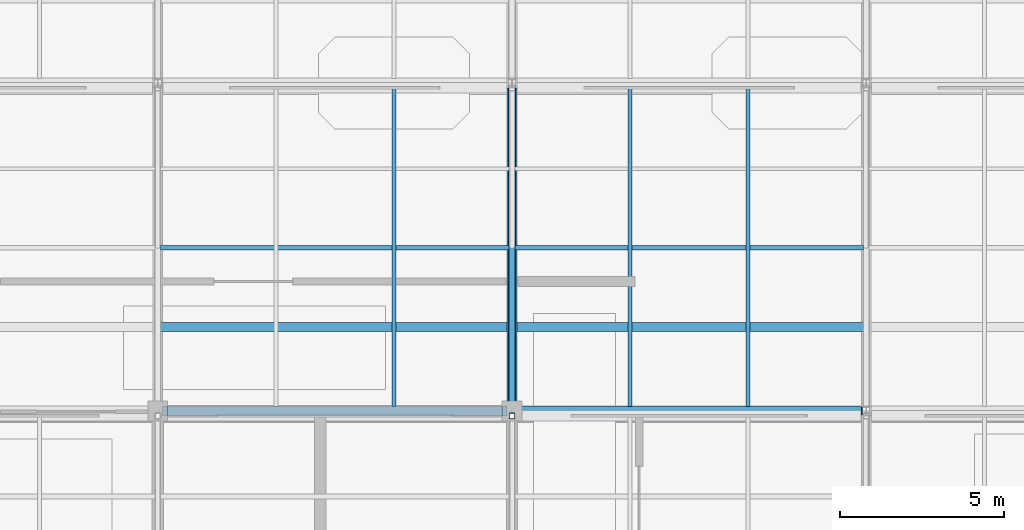
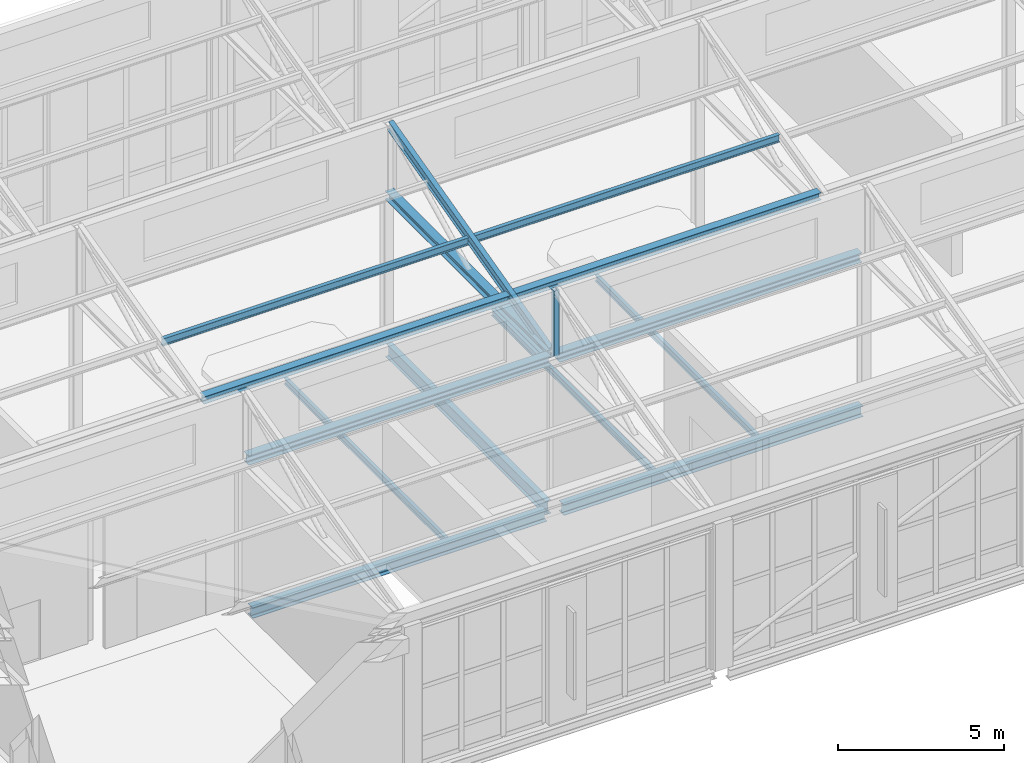
# One storey, part 9 of 49: 8 beams, 7 members.
"""IFC4 building model written with IfcOpenShell, lengths in metres."""

from ifc_helpers import new_model, si_unit, direction, frame, origin, origin_2d, place, context, subcontext, project, spatial, hollow_rectangle, i_section, extrude, material, material_profile, profile_set, type_object, element, save


model = new_model("IFC4")

# Units and contexts
model_context = context("Model", 3, precision=1e-05, world=origin(), true_north=direction((0.0, 1.0)))
body_context = subcontext(model_context, "Body", "Model", "MODEL_VIEW")
ifc_project = project(units=[si_unit("LENGTHUNIT", "METRE"), si_unit("AREAUNIT", "SQUARE_METRE"), si_unit("VOLUMEUNIT", "CUBIC_METRE"), si_unit("PLANEANGLEUNIT", "RADIAN"), si_unit("MASSUNIT", "GRAM", prefix="KILO")], contexts=[model_context])

# Site, building, storey
site_placement = place(None, origin())
site = spatial("IfcSite", under=ifc_project, at=site_placement, CompositionType="ELEMENT")
building_placement = place(site_placement, origin())
building = spatial("IfcBuilding", under=site, at=building_placement, Name="Tasgan Crest Museum", CompositionType="ELEMENT")
storey_placement = place(building_placement, frame((0.0, 0.0, 28.800048828125)))
storey = spatial("IfcBuildingStorey", under=building, at=storey_placement, Name="L05", CompositionType="ELEMENT", Elevation=28.800048828125)

# Beams
ifc_material_1 = material(Name="Steel S355J2", Category="steel")
ifc_material_profile_1 = material_profile(ifc_material_1, i_section(OverallWidth=0.300048828125, OverallDepth=0.35009765625, WebThickness=0.009521484375, FlangeThickness=0.017578125, FilletRadius=0.027099609375, at=origin_2d()), Name="HEA 360")
ifc_profile_set_1 = profile_set([ifc_material_profile_1], Name="Steel S355J2")
beam_type_1 = type_object("IfcBeamType", Name="BM-G-HEA360", PredefinedType="BEAM", material=ifc_profile_set_1)
for number, where, z_axis, x_axis, name in (
    (1, (10.949951171875, 92.0, 5.219970703125), (1.0, 0.0, 0.0), (0.0, 1.0, 0.0), "Sawtooth valley girder B2 10.8-21.6"),
    (2, (21.75, 92.0, 5.219970703125), (1.0, 0.0, 0.0), (0.0, 1.0, 0.0), "Sawtooth valley girder B2 21.6-32.4"),
):
    element("IfcBeam", number, at=place(storey_placement, frame(where, z_axis=z_axis, x_axis=x_axis)), inside=storey, type_object=beam_type_1, Name=name, PredefinedType="BEAM", context=body_context, shape_type="SweptSolid", body=[
        extrude(i_section(OverallWidth=0.300048828125, OverallDepth=0.35009765625, WebThickness=0.009521484375, FlangeThickness=0.017578125, FilletRadius=0.027099609375, at=origin_2d()), origin(), (0.0, 0.0, 1.0), 10.5),
    ])
ifc_material_2 = material(Name="Steel S355J2", Category="steel")
ifc_material_profile_2 = material_profile(ifc_material_2, i_section(OverallWidth=0.300048828125, OverallDepth=0.389892578125, WebThickness=0.010986328125, FlangeThickness=0.01904296875, FilletRadius=0.027099609375, at=origin_2d()), Name="HEA 400")
ifc_profile_set_2 = profile_set([ifc_material_profile_2], Name="Steel S355J2")
beam_type_2 = type_object("IfcBeamType", Name="BM-G-HEA400", PredefinedType="BEAM", material=ifc_profile_set_2)
beam_1_placement = place(storey_placement, frame((11.095947265625, 92.0, -0.43505859375), z_axis=(1.0, 0.0, 0.0), x_axis=(0.0, 1.0, 0.0)))
element("IfcBeam", 3, at=beam_1_placement, inside=storey, type_object=beam_type_2, Name="Girder L05 K 10.8-21.6", PredefinedType="BEAM", context=body_context, shape_type="SweptSolid", body=[
    extrude(i_section(OverallWidth=0.300048828125, OverallDepth=0.389892578125, WebThickness=0.010986328125, FlangeThickness=0.01904296875, FilletRadius=0.027099609375, at=origin_2d()), origin(), (0.0, 0.0, 1.0), 10.2080078125),
])
beam_2_placement = place(storey_placement, frame((21.89599609375, 92.0, -0.43505859375), z_axis=(1.0, 0.0, 0.0), x_axis=(0.0, 1.0, 0.0)))
element("IfcBeam", 4, at=beam_2_placement, inside=storey, type_object=beam_type_2, Name="Girder L05 K 21.6-32.4", PredefinedType="BEAM", context=body_context, shape_type="SweptSolid", body=[
    extrude(i_section(OverallWidth=0.300048828125, OverallDepth=0.389892578125, WebThickness=0.010986328125, FlangeThickness=0.01904296875, FilletRadius=0.027099609375, at=origin_2d()), origin(), (0.0, 0.0, 1.0), 10.39794921875),
])
ifc_material_3 = material(Name="Steel S355J2", Category="steel")
ifc_material_profile_3 = material_profile(ifc_material_3, i_section(OverallWidth=0.199951171875, OverallDepth=0.5, WebThickness=0.01025390625, FlangeThickness=0.01611328125, FilletRadius=0.02099609375, at=origin_2d()), Name="IPE 500")
ifc_profile_set_3 = profile_set([ifc_material_profile_3], Name="Steel S355J2")
beam_type_3 = type_object("IfcBeamType", Name="BM-G-IPE500", PredefinedType="BEAM", material=ifc_profile_set_3)
beam_3_placement = place(storey_placement, frame((21.60009765625, 92.294921875, -0.489990234375), z_axis=(0.0, 1.0, 0.0), x_axis=(-1.0, 0.0, 0.0)))
element("IfcBeam", 5, at=beam_3_placement, inside=storey, type_object=beam_type_3, Name="Beam L05 3 92.0-102.0", PredefinedType="BEAM", context=body_context, shape_type="SweptSolid", body=[
    extrude(i_section(OverallWidth=0.199951171875, OverallDepth=0.5, WebThickness=0.01025390625, FlangeThickness=0.01611328125, FilletRadius=0.02099609375, at=origin_2d()), origin(), (0.0, 0.0, 1.0), 9.60009765625),
])
ifc_material_4 = material(Name="Steel S355J2", Category="steel")
ifc_material_profile_4 = material_profile(ifc_material_4, i_section(OverallWidth=0.1201171875, OverallDepth=0.239990234375, WebThickness=0.006103515625, FlangeThickness=0.009765625, FilletRadius=0.014892578125, at=origin_2d()), Name="IPE 240")
ifc_profile_set_4 = profile_set([ifc_material_profile_4], Name="Steel S355J2")
beam_type_4 = type_object("IfcBeamType", Name="BM-J-IPE240", PredefinedType="JOIST", material=ifc_profile_set_4)
for number, where, z_axis, x_axis, name in (
    (6, (18.0, 92.14501953125, -0.360107421875), (0.0, 1.0, 0.0), (-1.0, 0.0, 0.0), "Secondary joist L05 X=18.0 Y=92.0-102.0"),
    (7, (25.199951171875, 92.14501953125, -0.360107421875), (0.0, 1.0, 0.0), (-1.0, 0.0, 0.0), "Secondary joist L05 X=25.2 Y=92.0-102.0"),
    (8, (28.800048828125, 92.14501953125, -0.360107421875), (0.0, 1.0, 0.0), (-1.0, 0.0, 0.0), "Secondary joist L05 X=28.8 Y=92.0-102.0"),
):
    element("IfcBeam", number, at=place(storey_placement, frame(where, z_axis=z_axis, x_axis=x_axis)), inside=storey, type_object=beam_type_4, Name=name, PredefinedType="JOIST", context=body_context, shape_type="SweptSolid", body=[
        extrude(i_section(OverallWidth=0.1201171875, OverallDepth=0.239990234375, WebThickness=0.006103515625, FlangeThickness=0.009765625, FilletRadius=0.014892578125, at=origin_2d()), origin(), (0.0, 0.0, 1.0), 9.7099609375),
    ])

# Members
ifc_material_5 = material(Name="Steel S355J2", Category="steel")
ifc_material_profile_5 = material_profile(ifc_material_5, i_section(OverallWidth=0.280029296875, OverallDepth=0.27001953125, WebThickness=0.008056640625, FlangeThickness=0.012939453125, FilletRadius=0.02392578125, at=origin_2d()), Name="HEA 280")
ifc_profile_set_5 = profile_set([ifc_material_profile_5], Name="Steel S355J2")
member_type_1 = type_object("IfcMemberType", Name="MEM-PUR-HEA280", PredefinedType="PURLIN", material=ifc_profile_set_5)
for number, where, z_axis, x_axis, name in (
    (9, (10.885009765625, 94.5625, 5.889892578125), (1.0, 0.0, 0.0), (0.0, 1.0, 0.0), "Sawtooth roof purlin B2 10.8-21.6 P1"),
    (10, (21.68505859375, 94.5625, 5.889892578125), (1.0, 0.0, 0.0), (0.0, 1.0, 0.0), "Sawtooth roof purlin B2 21.6-32.4 P1"),
):
    element("IfcMember", number, at=place(storey_placement, frame(where, z_axis=z_axis, x_axis=x_axis)), inside=storey, type_object=member_type_1, Name=name, PredefinedType="PURLIN", context=body_context, shape_type="SweptSolid", body=[
        extrude(i_section(OverallWidth=0.280029296875, OverallDepth=0.27001953125, WebThickness=0.008056640625, FlangeThickness=0.012939453125, FilletRadius=0.02392578125, at=origin_2d()), origin(), (0.0, 0.0, 1.0), 10.6298828125),
    ])
ifc_material_6 = material(Name="Steel S355J2", Category="steel")
ifc_material_profile_6 = material_profile(ifc_material_6, i_section(OverallWidth=0.135009765625, OverallDepth=0.27001953125, WebThickness=0.006591796875, FlangeThickness=0.01025390625, FilletRadius=0.014892578125, at=origin_2d()), Name="IPE 270")
ifc_profile_set_6 = profile_set([ifc_material_profile_6], Name="Steel S355J2")
member_type_2 = type_object("IfcMemberType", Name="MEM-PURLIN-270", PredefinedType="PURLIN", material=ifc_profile_set_6)
for number, where, z_axis, x_axis, name in (
    (11, (10.885009765625, 96.97509765625, 6.510009765625), (1.0, 0.0, 0.0), (0.0, 1.0, 0.0), "Sawtooth roof purlin B2 10.8-21.6 P2"),
    (12, (21.68505859375, 96.97509765625, 6.510009765625), (1.0, 0.0, 0.0), (0.0, 1.0, 0.0), "Sawtooth roof purlin B2 21.6-32.4 P2"),
):
    element("IfcMember", number, at=place(storey_placement, frame(where, z_axis=z_axis, x_axis=x_axis)), inside=storey, type_object=member_type_2, Name=name, PredefinedType="PURLIN", context=body_context, shape_type="SweptSolid", body=[
        extrude(i_section(OverallWidth=0.135009765625, OverallDepth=0.27001953125, WebThickness=0.006591796875, FlangeThickness=0.01025390625, FilletRadius=0.014892578125, at=origin_2d()), origin(), (0.0, 0.0, 1.0), 10.6298828125),
    ])
ifc_material_7 = material(Name="Steel S355K2", Category="steel")
ifc_material_profile_7 = material_profile(ifc_material_7, i_section(OverallWidth=0.300048828125, OverallDepth=0.31005859375, WebThickness=0.009033203125, FlangeThickness=0.015380859375, FilletRadius=0.027099609375, at=origin_2d()), Name="HEA 320")
ifc_profile_set_7 = profile_set([ifc_material_profile_7], Name="Steel S355K2")
member_type_3 = type_object("IfcMemberType", Name="TR-SAW-CHORD", PredefinedType="CHORD", material=ifc_profile_set_7)
member_1_placement = place(storey_placement, frame((21.60009765625, 92.14990234375, 5.239990234375), z_axis=(0.0, 1.0, 0.0), x_axis=(-1.0, 0.0, 0.0)))
element("IfcMember", 13, at=member_1_placement, inside=storey, type_object=member_type_3, Name="Roof truss bottom chord B2 3", PredefinedType="CHORD", context=body_context, shape_type="SweptSolid", body=[
    extrude(i_section(OverallWidth=0.300048828125, OverallDepth=0.31005859375, WebThickness=0.009033203125, FlangeThickness=0.015380859375, FilletRadius=0.027099609375, at=origin_2d()), origin(), (0.0, 0.0, 1.0), 9.7001953125),
])
ifc_material_8 = material(Name="Steel S355K2", Category="steel")
ifc_material_profile_8 = material_profile(ifc_material_8, hollow_rectangle(XDim=0.179931640625, YDim=0.179931640625, WallThickness=0.010009765625, InnerFilletRadius=0.010009765625, OuterFilletRadius=0.02001953125, at=origin_2d()), Name="SHS 180x180x10")
ifc_profile_set_8 = profile_set([ifc_material_profile_8], Name="Steel S355K2")
member_type_4 = type_object("IfcMemberType", Name="TR-SAW-POST", PredefinedType="POST", material=ifc_profile_set_8)
member_2_placement = place(storey_placement, frame((21.60009765625, 91.85009765625, 5.389892578125), z_axis=(0.0, 0.0, 1.0), x_axis=(1.0, 0.0, 0.0)))
element("IfcMember", 14, at=member_2_placement, inside=storey, type_object=member_type_4, Name="Roof truss north post B1 3", PredefinedType="POST", context=body_context, shape_type="SweptSolid", body=[
    extrude(hollow_rectangle(XDim=0.179931640625, YDim=0.179931640625, WallThickness=0.010009765625, InnerFilletRadius=0.010009765625, OuterFilletRadius=0.02001953125, at=origin_2d()), origin(), (0.0, 0.0, 1.0), 2.41015625),
])
ifc_material_9 = material(Name="Steel S355K2", Category="steel")
ifc_material_profile_9 = material_profile(ifc_material_9, i_section(OverallWidth=0.169921875, OverallDepth=0.360107421875, WebThickness=0.008056640625, FlangeThickness=0.0126953125, FilletRadius=0.01806640625, at=origin_2d()), Name="IPE 360")
ifc_profile_set_9 = profile_set([ifc_material_profile_9], Name="Steel S355K2")
member_type_5 = type_object("IfcMemberType", Name="TR-SAW-RAFTER", PredefinedType="RAFTER", material=ifc_profile_set_9)
member_3_placement = place(storey_placement, frame((21.60009765625, 92.14990234375, 5.320068359375), z_axis=(0.0, 0.968528888954, 0.248901167657), x_axis=(-1.0, 0.0, 0.0)))
element("IfcMember", 15, at=member_3_placement, inside=storey, type_object=member_type_5, Name="Roof truss rafter B2 3", PredefinedType="RAFTER", context=body_context, shape_type="SweptSolid", body=[
    extrude(i_section(OverallWidth=0.169921875, OverallDepth=0.360107421875, WebThickness=0.008056640625, FlangeThickness=0.0126953125, FilletRadius=0.01806640625, at=origin_2d()), origin(), (0.0, 0.0, 1.0), 9.963623046875),
])

save(model, "model.ifc")
